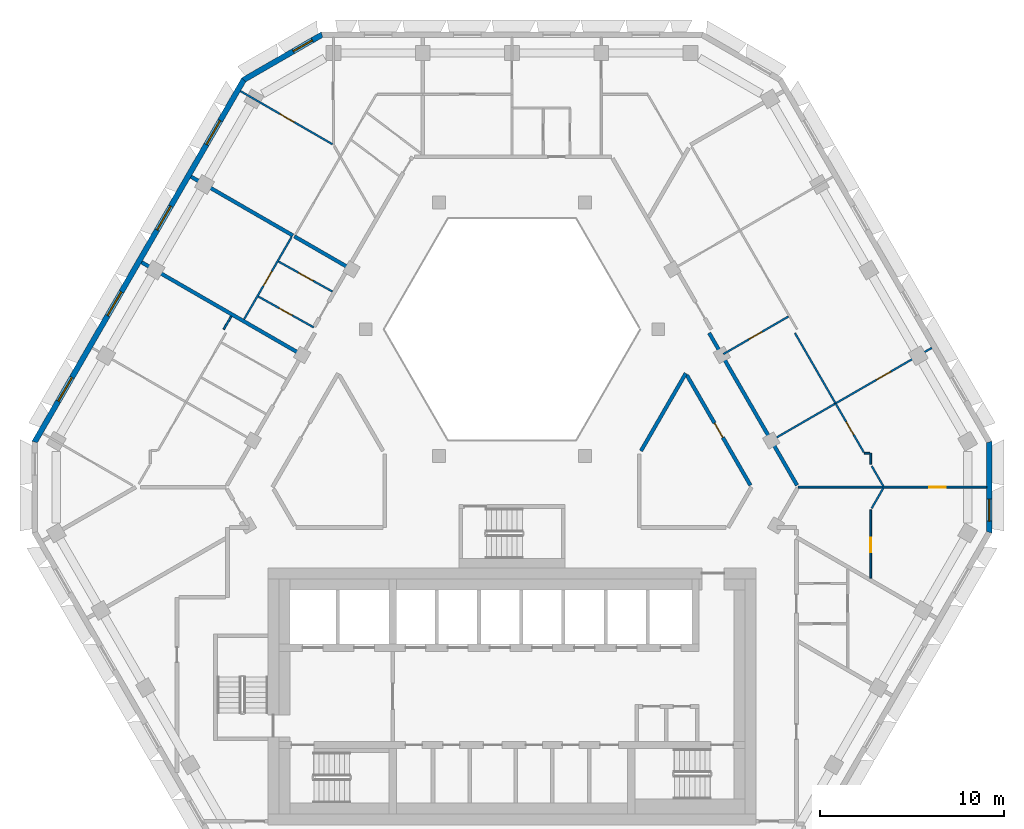
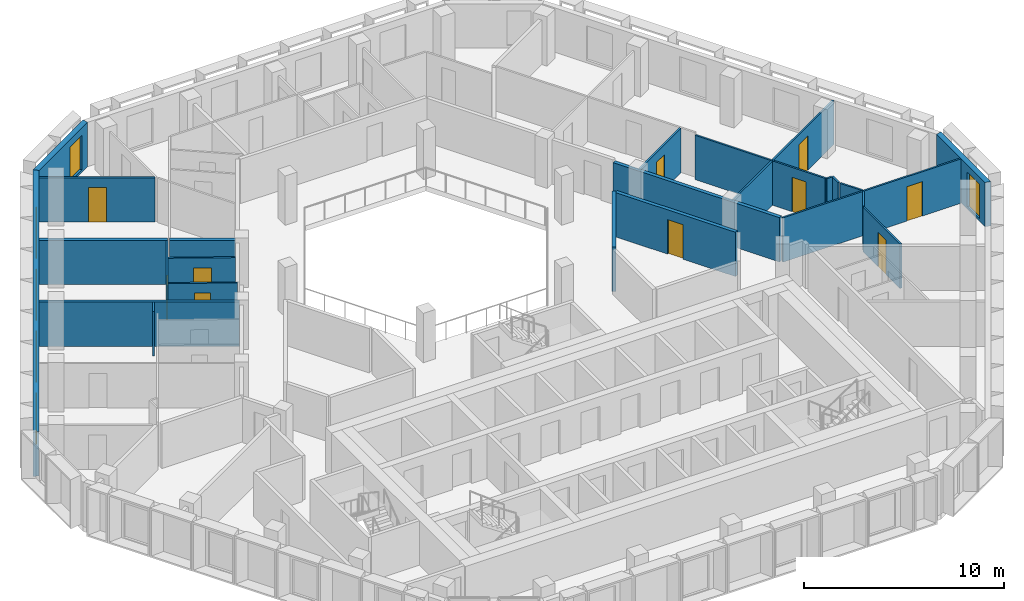
# One storey, part 6 of 15: 24 walls, 10 doors, 6 windows, 16 openings.
"""IFC4 building model written with IfcOpenShell, lengths in metres."""

from ifc_helpers import new_model, si_unit, direction, frame, frame_2d, origin, place, context, subcontext, project, spatial, polyline, rectangle, outline, extrude, material, layer, layer_set, type_object, element, fill, save


model = new_model("IFC4")

# Units and contexts
model_context = context("Model", 3, precision=1e-05, world=origin(), true_north=direction((0.0, 1.0)))
body_context = subcontext(model_context, "Body", "Model", "MODEL_VIEW")
ifc_project = project(units=[si_unit("LENGTHUNIT", "METRE"), si_unit("AREAUNIT", "SQUARE_METRE"), si_unit("VOLUMEUNIT", "CUBIC_METRE"), si_unit("PLANEANGLEUNIT", "RADIAN"), si_unit("MASSUNIT", "GRAM", prefix="KILO")], contexts=[model_context])

# Site, building, storey
site_placement = place(None, origin())
site = spatial("IfcSite", under=ifc_project, at=site_placement, CompositionType="ELEMENT")
building_placement = place(site_placement, origin())
building = spatial("IfcBuilding", under=site, at=building_placement, Name="Beryl Residences", CompositionType="ELEMENT")
storey_placement = place(building_placement, frame((0.0, 0.0, 169.199951171875)))
storey = spatial("IfcBuildingStorey", under=building, at=storey_placement, Name="L51", CompositionType="ELEMENT", Elevation=169.199951171875)

# Wall, opening, window
ifc_material_1 = material(Name="Composite metal panel with mineral wool insulation")
ifc_layer_1 = layer(ifc_material_1, 0.300048828125)
ifc_layer_set_1 = layer_set([ifc_layer_1], Name="ES1 pale metal composite panel wall 300 mm")
wall_type_1 = type_object("IfcWallType", Name="ES1 pale metal composite panel wall 300 mm", PredefinedType="SOLIDWALL", material=ifc_layer_set_1)
wall_1_placement = place(storey_placement, frame((-10.31689453125, 24.070068359375, 0.0), z_axis=(0.0, 0.0, 1.0), x_axis=(-0.866022959057, -0.500004234368, 0.0)))
wall_1 = element("IfcWall", 1, at=wall_1_placement, inside=storey, type_object=wall_type_1, Name="ES1 external wall L51 N-NW", PredefinedType="SOLIDWALL", context=body_context, shape_type="SweptSolid", body=[
    extrude(outline(polyline([(0.0, -0.14990234375), (5.0, -0.14990234375), (4.919677734375, 0.14990234375), (0.080322265625, 0.14990234375), (0.0, -0.14990234375)])), origin(), (0.0, 0.0, 1.0), 2.699951171875),
])
opening_1_placement = place(wall_1_placement, frame((0.64990234375, 0.0, 0.14990234375)))
opening_1 = element("IfcOpeningElement", 2, at=opening_1_placement, cuts=wall_1, Name="Opening W2", PredefinedType="OPENING", context=body_context, shape_type="SweptSolid", body=[
    extrude(rectangle(XDim=1.199951171875, YDim=2.10009765625, at=frame_2d((0.60009765625, 1.050048828125))), frame((0.0, 0.159912109375, 0.0), z_axis=(0.0, -1.0, 0.0), x_axis=(1.0, 0.0, 0.0)), (0.0, 0.0, 1.0), 0.320068359375),
])
ifc_material_2 = material(Name="Aluminium and clear glass", Category="aluminium")
window_type_1 = type_object("IfcWindowType", Name="W2 chamfer window 1200 x 2100 mm", PartitioningType="SINGLE_PANEL", PredefinedType="WINDOW", material=ifc_material_2)
window_1_placement = place(opening_1_placement, origin())
window_1 = element("IfcWindow", 3, at=window_1_placement, inside=storey, type_object=window_type_1, Name="W2 window L51 N-NW 1", OverallHeight=2.10009765625, OverallWidth=1.199951171875, PartitioningType="SINGLE_PANEL", PredefinedType="WINDOW", context=body_context, shape_type="SweptSolid", body=[
    extrude(rectangle(XDim=1.199951171875, YDim=2.10009765625, at=frame_2d((0.60009765625, 1.050048828125))), frame((0.0, 0.030029296875, 0.0), z_axis=(0.0, -1.0, 0.0), x_axis=(1.0, 0.0, 0.0)), (0.0, 0.0, 1.0), 0.06005859375),
])
fill(opening_1, window_1)

# Wall, openings, windows
wall_2_placement = place(storey_placement, frame((-14.592041015625, 21.625, 0.0), z_axis=(0.0, 0.0, 1.0), x_axis=(-0.500010537973, -0.866019319597, 0.0)))
wall_2 = element("IfcWall", 4, at=wall_2_placement, inside=storey, type_object=wall_type_1, Name="ES1 external wall L51 NW", PredefinedType="SOLIDWALL", context=body_context, shape_type="SweptSolid", body=[
    extrude(outline(polyline([(0.0, -0.14990234375), (22.86328125, -0.14990234375), (22.782958984375, 0.14990234375), (0.080322265625, 0.14990234375), (0.0, -0.14990234375)])), origin(), (0.0, 0.0, 1.0), 2.699951171875),
])
opening_2_placement = place(wall_2_placement, frame((2.60595703125, 0.0, 0.14990234375)))
opening_2 = element("IfcOpeningElement", 5, at=opening_2_placement, cuts=wall_2, Name="Opening W1", PredefinedType="OPENING", context=body_context, shape_type="SweptSolid", body=[
    extrude(rectangle(XDim=1.5, YDim=2.10009765625, at=frame_2d((0.75, 1.050048828125))), frame((0.0, 0.159912109375, 0.0), z_axis=(0.0, -1.0, 0.0), x_axis=(1.0, 0.0, 0.0)), (0.0, 0.0, 1.0), 0.320068359375),
])
opening_3_placement = place(wall_2_placement, frame((7.989990234375, 0.0, 0.14990234375)))
opening_3 = element("IfcOpeningElement", 6, at=opening_3_placement, cuts=wall_2, Name="Opening W1", PredefinedType="OPENING", context=body_context, shape_type="SweptSolid", body=[
    extrude(rectangle(XDim=1.5, YDim=2.10009765625, at=frame_2d((0.75, 1.050048828125))), frame((0.0, 0.159912109375, 0.0), z_axis=(0.0, -1.0, 0.0), x_axis=(1.0, 0.0, 0.0)), (0.0, 0.0, 1.0), 0.320068359375),
])
opening_4_placement = place(wall_2_placement, frame((13.373046875, 0.0, 0.14990234375)))
opening_4 = element("IfcOpeningElement", 7, at=opening_4_placement, cuts=wall_2, Name="Opening W1", PredefinedType="OPENING", context=body_context, shape_type="SweptSolid", body=[
    extrude(rectangle(XDim=1.5, YDim=2.10009765625, at=frame_2d((0.75, 1.050048828125))), frame((0.0, 0.159912109375, 0.0), z_axis=(0.0, -1.0, 0.0), x_axis=(1.0, 0.0, 0.0)), (0.0, 0.0, 1.0), 0.320068359375),
])
opening_5_placement = place(wall_2_placement, frame((18.758056640625, 0.0, 0.14990234375)))
opening_5 = element("IfcOpeningElement", 8, at=opening_5_placement, cuts=wall_2, Name="Opening W1", PredefinedType="OPENING", context=body_context, shape_type="SweptSolid", body=[
    extrude(rectangle(XDim=1.5, YDim=2.10009765625, at=frame_2d((0.75, 1.050048828125))), frame((0.0, 0.159912109375, 0.0), z_axis=(0.0, -1.0, 0.0), x_axis=(1.0, 0.0, 0.0)), (0.0, 0.0, 1.0), 0.320068359375),
])
ifc_material_3 = material(Name="Aluminium and clear glass", Category="aluminium")
window_type_2 = type_object("IfcWindowType", Name="W1 cell window 1500 x 2100 mm", PartitioningType="SINGLE_PANEL", PredefinedType="WINDOW", material=ifc_material_3)
window_2_placement = place(opening_2_placement, origin())
window_2 = element("IfcWindow", 9, at=window_2_placement, inside=storey, type_object=window_type_2, Name="W1 window L51 NW 2", OverallHeight=2.10009765625, OverallWidth=1.5, PartitioningType="SINGLE_PANEL", PredefinedType="WINDOW", context=body_context, shape_type="SweptSolid", body=[
    extrude(rectangle(XDim=1.5, YDim=2.10009765625, at=frame_2d((0.75, 1.050048828125))), frame((0.0, 0.030029296875, 0.0), z_axis=(0.0, -1.0, 0.0), x_axis=(1.0, 0.0, 0.0)), (0.0, 0.0, 1.0), 0.06005859375),
])
fill(opening_2, window_2)
window_3_placement = place(opening_3_placement, origin())
window_3 = element("IfcWindow", 10, at=window_3_placement, inside=storey, type_object=window_type_2, Name="W1 window L51 NW 4", OverallHeight=2.10009765625, OverallWidth=1.5, PartitioningType="SINGLE_PANEL", PredefinedType="WINDOW", context=body_context, shape_type="SweptSolid", body=[
    extrude(rectangle(XDim=1.5, YDim=2.10009765625, at=frame_2d((0.75, 1.050048828125))), frame((0.0, 0.030029296875, 0.0), z_axis=(0.0, -1.0, 0.0), x_axis=(1.0, 0.0, 0.0)), (0.0, 0.0, 1.0), 0.06005859375),
])
fill(opening_3, window_3)
window_4_placement = place(opening_4_placement, origin())
window_4 = element("IfcWindow", 11, at=window_4_placement, inside=storey, type_object=window_type_2, Name="W1 window L51 NW 6", OverallHeight=2.10009765625, OverallWidth=1.5, PartitioningType="SINGLE_PANEL", PredefinedType="WINDOW", context=body_context, shape_type="SweptSolid", body=[
    extrude(rectangle(XDim=1.5, YDim=2.10009765625, at=frame_2d((0.75, 1.050048828125))), frame((0.0, 0.030029296875, 0.0), z_axis=(0.0, -1.0, 0.0), x_axis=(1.0, 0.0, 0.0)), (0.0, 0.0, 1.0), 0.06005859375),
])
fill(opening_4, window_4)
window_5_placement = place(opening_5_placement, origin())
window_5 = element("IfcWindow", 12, at=window_5_placement, inside=storey, type_object=window_type_2, Name="W1 window L51 NW 8", OverallHeight=2.10009765625, OverallWidth=1.5, PartitioningType="SINGLE_PANEL", PredefinedType="WINDOW", context=body_context, shape_type="SweptSolid", body=[
    extrude(rectangle(XDim=1.5, YDim=2.10009765625, at=frame_2d((0.75, 1.050048828125))), frame((0.0, 0.030029296875, 0.0), z_axis=(0.0, -1.0, 0.0), x_axis=(1.0, 0.0, 0.0)), (0.0, 0.0, 1.0), 0.06005859375),
])
fill(opening_5, window_5)

# Wall, opening, window
wall_3_placement = place(storey_placement, frame((26.00390625, -3.10009765625, 0.0), z_axis=(0.0, 0.0, 1.0), x_axis=(0.0, 1.0, 0.0)))
wall_3 = element("IfcWall", 13, at=wall_3_placement, inside=storey, type_object=wall_type_1, Name="ES1 external wall L51 SE-NE", PredefinedType="SOLIDWALL", context=body_context, shape_type="SweptSolid", body=[
    extrude(outline(polyline([(0.0, -0.14990234375), (5.0, -0.14990234375), (4.919677734375, 0.14990234375), (0.080322265625, 0.14990234375), (0.0, -0.14990234375)])), origin(), (0.0, 0.0, 1.0), 2.699951171875),
])
opening_6_placement = place(wall_3_placement, frame((0.64990234375, 0.0, 0.14990234375)))
opening_6 = element("IfcOpeningElement", 14, at=opening_6_placement, cuts=wall_3, Name="Opening W2", PredefinedType="OPENING", context=body_context, shape_type="SweptSolid", body=[
    extrude(rectangle(XDim=1.199951171875, YDim=2.10009765625, at=frame_2d((0.60009765625, 1.050048828125))), frame((0.0, 0.159912109375, 0.0), z_axis=(0.0, -1.0, 0.0), x_axis=(1.0, 0.0, 0.0)), (0.0, 0.0, 1.0), 0.320068359375),
])
window_6_placement = place(opening_6_placement, origin())
window_6 = element("IfcWindow", 15, at=window_6_placement, inside=storey, type_object=window_type_1, Name="W2 window L51 SE-NE 1", OverallHeight=2.10009765625, OverallWidth=1.199951171875, PartitioningType="SINGLE_PANEL", PredefinedType="WINDOW", context=body_context, shape_type="SweptSolid", body=[
    extrude(rectangle(XDim=1.199951171875, YDim=2.10009765625, at=frame_2d((0.60009765625, 1.050048828125))), frame((0.0, 0.030029296875, 0.0), z_axis=(0.0, -1.0, 0.0), x_axis=(1.0, 0.0, 0.0)), (0.0, 0.0, 1.0), 0.06005859375),
])
fill(opening_6, window_6)

# Walls
ifc_material_4 = material(Name="Gypsum board partition on steel studs", Category="steel")
ifc_layer_2 = layer(ifc_material_4, 0.10009765625)
ifc_layer_set_2 = layer_set([ifc_layer_2], Name="PT1 partition 100 mm gypsum board on steel studs")
wall_type_2 = type_object("IfcWallType", Name="PT1 partition 100 mm gypsum board on steel studs", PredefinedType="PARTITIONING", material=ifc_layer_set_2)
wall_4_placement = place(storey_placement, frame((15.412109375, 7.800048828125, 0.0), z_axis=(0.0, 0.0, 1.0), x_axis=(0.499882970317, -0.866092960361, 0.0)))
element("IfcWall", 16, at=wall_4_placement, inside=storey, type_object=wall_type_2, Name="Wall PT1 L51 003", PredefinedType="PARTITIONING", context=body_context, shape_type="SweptSolid", body=[
    extrude(rectangle(XDim=4.4326171875, YDim=0.10009765625, at=frame_2d((2.21630859375, 0.0))), origin(), (0.0, 0.0, 1.0), 2.699951171875),
])
wall_5_placement = place(storey_placement, frame((19.596923828125, 0.551025390625, 0.0), z_axis=(0.0, 0.0, 1.0), x_axis=(0.499922110319, -0.866070368743, 0.0)))
element("IfcWall", 17, at=wall_5_placement, inside=storey, type_object=wall_type_2, Name="Wall PT1 L51 004", PredefinedType="PARTITIONING", context=body_context, shape_type="SweptSolid", body=[
    extrude(rectangle(XDim=1.270263671875, YDim=0.10009765625, at=frame_2d((0.63525390625, 0.0))), origin(), (0.0, 0.0, 1.0), 2.699951171875),
])

# Wall, opening, door
wall_6_placement = place(storey_placement, frame((-12.720947265625, 11.69189453125, 0.0), z_axis=(0.0, 0.0, 1.0), x_axis=(0.873557394398, -0.486721150859, 0.0)))
wall_6 = element("IfcWall", 18, at=wall_6_placement, inside=storey, type_object=wall_type_2, Name="Wall PT1 L51 008", PredefinedType="PARTITIONING", context=body_context, shape_type="SweptSolid", body=[
    extrude(rectangle(XDim=3.36328125, YDim=0.10009765625, at=frame_2d((1.681640625, 0.0))), origin(), (0.0, 0.0, 1.0), 2.699951171875),
])
opening_7_placement = place(wall_6_placement, frame((1.257080078125, 0.0, 0.0)))
opening_7 = element("IfcOpeningElement", 19, at=opening_7_placement, cuts=wall_6, Name="Opening D1640", PredefinedType="OPENING", context=body_context, shape_type="SweptSolid", body=[
    extrude(rectangle(XDim=0.89990234375, YDim=2.10009765625, at=frame_2d((0.449951171875, 1.050048828125))), frame((0.0, 0.06005859375, 0.0), z_axis=(0.0, -1.0, 0.0), x_axis=(1.0, 0.0, 0.0)), (0.0, 0.0, 1.0), 0.1201171875),
])
ifc_material_5 = material(Name="Timber door leaf", Category="wood")
door_type_1 = type_object("IfcDoorType", Name="D2 room door 900 x 2100 mm", OperationType="SINGLE_SWING_LEFT", PredefinedType="DOOR", material=ifc_material_5)
door_1_placement = place(opening_7_placement, origin())
door_1 = element("IfcDoor", 20, at=door_1_placement, inside=storey, type_object=door_type_1, Name="Door D1640 L51 001", OperationType="SINGLE_SWING_RIGHT", OverallHeight=2.10009765625, OverallWidth=0.89990234375, PredefinedType="DOOR", context=body_context, shape_type="SweptSolid", body=[
    extrude(rectangle(XDim=0.89990234375, YDim=2.10009765625, at=frame_2d((0.449951171875, 1.050048828125))), frame((0.0, 0.02490234375, 0.0), z_axis=(0.0, -1.0, 0.0), x_axis=(1.0, 0.0, 0.0)), (0.0, 0.0, 1.0), 0.050048828125),
])
fill(opening_7, door_1)

wall_7_placement = place(storey_placement, frame((-13.821044921875, 9.785888671875, 0.0), z_axis=(0.0, 0.0, 1.0), x_axis=(0.873644620966, -0.486564565353, 0.0)))
wall_7 = element("IfcWall", 21, at=wall_7_placement, inside=storey, type_object=wall_type_2, Name="Wall PT1 L51 009", PredefinedType="PARTITIONING", context=body_context, shape_type="SweptSolid", body=[
    extrude(rectangle(XDim=3.462646484375, YDim=0.10009765625, at=frame_2d((1.7314453125, 0.0))), origin(), (0.0, 0.0, 1.0), 2.699951171875),
])
opening_8_placement = place(wall_7_placement, frame((1.306884765625, 0.0, 0.0)))
opening_8 = element("IfcOpeningElement", 22, at=opening_8_placement, cuts=wall_7, Name="Opening D1639", PredefinedType="OPENING", context=body_context, shape_type="SweptSolid", body=[
    extrude(rectangle(XDim=0.800048828125, YDim=2.10009765625, at=frame_2d((0.39990234375, 1.050048828125))), frame((0.0, 0.06005859375, 0.0), z_axis=(0.0, -1.0, 0.0), x_axis=(1.0, 0.0, 0.0)), (0.0, 0.0, 1.0), 0.1201171875),
])
ifc_material_6 = material(Name="Timber door leaf", Category="wood")
door_type_2 = type_object("IfcDoorType", Name="D3 bathroom door 800 x 2100 mm", OperationType="SINGLE_SWING_LEFT", PredefinedType="DOOR", material=ifc_material_6)
door_2_placement = place(opening_8_placement, origin())
door_2 = element("IfcDoor", 23, at=door_2_placement, inside=storey, type_object=door_type_2, Name="Door D1639 L51 001", OperationType="SINGLE_SWING_LEFT", OverallHeight=2.10009765625, OverallWidth=0.800048828125, PredefinedType="DOOR", context=body_context, shape_type="SweptSolid", body=[
    extrude(rectangle(XDim=0.800048828125, YDim=2.10009765625, at=frame_2d((0.39990234375, 1.050048828125))), frame((0.0, 0.02490234375, 0.0), z_axis=(0.0, -1.0, 0.0), x_axis=(1.0, 0.0, 0.0)), (0.0, 0.0, 1.0), 0.050048828125),
])
fill(opening_8, door_2)

wall_8_placement = place(storey_placement, frame((-14.7939453125, 20.97509765625, 0.0), z_axis=(0.0, 0.0, 1.0), x_axis=(0.866019221245, -0.500010708319, 0.0)))
wall_8 = element("IfcWall", 24, at=wall_8_placement, inside=storey, type_object=wall_type_2, Name="Wall PT1 L51 014", PredefinedType="PARTITIONING", context=body_context, shape_type="SweptSolid", body=[
    extrude(rectangle(XDim=5.791748046875, YDim=0.10009765625, at=frame_2d((2.89599609375, 0.0))), origin(), (0.0, 0.0, 1.0), 2.699951171875),
])
opening_9_placement = place(wall_8_placement, frame((2.47509765625, 0.0, 0.0)))
opening_9 = element("IfcOpeningElement", 25, at=opening_9_placement, cuts=wall_8, Name="Opening D1636", PredefinedType="OPENING", context=body_context, shape_type="SweptSolid", body=[
    extrude(rectangle(XDim=0.89990234375, YDim=2.10009765625, at=frame_2d((0.449951171875, 1.050048828125))), frame((0.0, 0.06005859375, 0.0), z_axis=(0.0, -1.0, 0.0), x_axis=(1.0, 0.0, 0.0)), (0.0, 0.0, 1.0), 0.1201171875),
])
door_3_placement = place(opening_9_placement, origin())
door_3 = element("IfcDoor", 26, at=door_3_placement, inside=storey, type_object=door_type_1, Name="Door D1636 L51 001", OperationType="SINGLE_SWING_RIGHT", OverallHeight=2.10009765625, OverallWidth=0.89990234375, PredefinedType="DOOR", context=body_context, shape_type="SweptSolid", body=[
    extrude(rectangle(XDim=0.89990234375, YDim=2.10009765625, at=frame_2d((0.449951171875, 1.050048828125))), frame((0.0, 0.02490234375, 0.0), z_axis=(0.0, -1.0, 0.0), x_axis=(1.0, 0.0, 0.0)), (0.0, 0.0, 1.0), 0.050048828125),
])
fill(opening_9, door_3)

wall_9_placement = place(storey_placement, frame((15.587890625, -0.59912109375, 0.0), z_axis=(0.0, 0.0, 1.0), x_axis=(1.0, 0.0, 0.0)))
wall_9 = element("IfcWall", 27, at=wall_9_placement, inside=storey, type_object=wall_type_2, Name="Wall PT1 L51 018", PredefinedType="PARTITIONING", context=body_context, shape_type="SweptSolid", body=[
    extrude(rectangle(XDim=10.26611328125, YDim=0.10009765625, at=frame_2d((5.133056640625, 0.0))), origin(), (0.0, 0.0, 1.0), 2.699951171875),
])
opening_10_placement = place(wall_9_placement, frame((7.135009765625, 0.0, 0.0)))
opening_10 = element("IfcOpeningElement", 28, at=opening_10_placement, cuts=wall_9, Name="Opening D1621", PredefinedType="OPENING", context=body_context, shape_type="SweptSolid", body=[
    extrude(rectangle(XDim=0.89990234375, YDim=2.10009765625, at=frame_2d((0.449951171875, 1.050048828125))), frame((0.0, 0.06005859375, 0.0), z_axis=(0.0, -1.0, 0.0), x_axis=(1.0, 0.0, 0.0)), (0.0, 0.0, 1.0), 0.1201171875),
])
door_4_placement = place(opening_10_placement, origin())
door_4 = element("IfcDoor", 29, at=door_4_placement, inside=storey, type_object=door_type_1, Name="Door D1621 L51 001", OperationType="SINGLE_SWING_LEFT", OverallHeight=2.10009765625, OverallWidth=0.89990234375, PredefinedType="DOOR", context=body_context, shape_type="SweptSolid", body=[
    extrude(rectangle(XDim=0.89990234375, YDim=2.10009765625, at=frame_2d((0.449951171875, 1.050048828125))), frame((0.0, 0.02490234375, 0.0), z_axis=(0.0, -1.0, 0.0), x_axis=(1.0, 0.0, 0.0)), (0.0, 0.0, 1.0), 0.050048828125),
])
fill(opening_10, door_4)

# Walls
wall_10_placement = place(storey_placement, frame((19.195068359375, 1.2470703125, 0.0), z_axis=(0.0, 0.0, 1.0), x_axis=(1.0, 0.0, 0.0)))
element("IfcWall", 30, at=wall_10_placement, inside=storey, type_object=wall_type_2, Name="Wall PT1 L51 020", PredefinedType="PARTITIONING", context=body_context, shape_type="SweptSolid", body=[
    extrude(rectangle(XDim=0.302001953125, YDim=0.10009765625, at=frame_2d((0.15087890625, 0.0))), origin(), (0.0, 0.0, 1.0), 2.699951171875),
])
wall_11_placement = place(storey_placement, frame((19.596923828125, -1.75, 0.0), z_axis=(0.0, 0.0, 1.0), x_axis=(0.499589422776, 0.866262320923, 0.0)))
element("IfcWall", 31, at=wall_11_placement, inside=storey, type_object=wall_type_2, Name="Wall PT1 L51 025", PredefinedType="PARTITIONING", context=body_context, shape_type="SweptSolid", body=[
    extrude(rectangle(XDim=1.27099609375, YDim=0.10009765625, at=frame_2d((0.635498046875, 0.0))), origin(), (0.0, 0.0, 1.0), 2.699951171875),
])

# Wall, opening, door
wall_12_placement = place(storey_placement, frame((-14.596923828125, 8.54296875, 0.0), z_axis=(0.0, 0.0, 1.0), x_axis=(0.499962957901, 0.866046788994, 0.0)))
wall_12 = element("IfcWall", 32, at=wall_12_placement, inside=storey, type_object=wall_type_2, Name="Wall PT1 L51 027", PredefinedType="PARTITIONING", context=body_context, shape_type="SweptSolid", body=[
    extrude(rectangle(XDim=5.1845703125, YDim=0.10009765625, at=frame_2d((2.59228515625, 0.0))), origin(), (0.0, 0.0, 1.0), 2.699951171875),
])
opening_11_placement = place(wall_12_placement, frame((2.113037109375, 0.0, 0.0)))
opening_11 = element("IfcOpeningElement", 33, at=opening_11_placement, cuts=wall_12, Name="Opening D1641", PredefinedType="OPENING", context=body_context, shape_type="SweptSolid", body=[
    extrude(rectangle(XDim=0.89990234375, YDim=2.10009765625, at=frame_2d((0.449951171875, 1.050048828125))), frame((0.0, 0.06005859375, 0.0), z_axis=(0.0, -1.0, 0.0), x_axis=(1.0, 0.0, 0.0)), (0.0, 0.0, 1.0), 0.1201171875),
])
door_5_placement = place(opening_11_placement, origin())
door_5 = element("IfcDoor", 34, at=door_5_placement, inside=storey, type_object=door_type_1, Name="Door D1641 L51 001", OperationType="SINGLE_SWING_LEFT", OverallHeight=2.10009765625, OverallWidth=0.89990234375, PredefinedType="DOOR", context=body_context, shape_type="SweptSolid", body=[
    extrude(rectangle(XDim=0.89990234375, YDim=2.10009765625, at=frame_2d((0.449951171875, 1.050048828125))), frame((0.0, 0.02490234375, 0.0), z_axis=(0.0, -1.0, 0.0), x_axis=(1.0, 0.0, 0.0)), (0.0, 0.0, 1.0), 0.050048828125),
])
fill(opening_11, door_5)

# Wall
wall_13_placement = place(storey_placement, frame((-15.7041015625, 8.0, 0.0), z_axis=(0.0, 0.0, 1.0), x_axis=(0.499833531678, 0.866121492985, 0.0)))
element("IfcWall", 35, at=wall_13_placement, inside=storey, type_object=wall_type_2, Name="Wall PT1 L51 030", PredefinedType="PARTITIONING", context=body_context, shape_type="SweptSolid", body=[
    extrude(rectangle(XDim=0.824462890625, YDim=0.10009765625, at=frame_2d((0.412109375, 0.0))), origin(), (0.0, 0.0, 1.0), 2.699951171875),
])

# Wall, opening, door
wall_14_placement = place(storey_placement, frame((19.547119140625, -5.554931640625, 0.0), z_axis=(0.0, 0.0, 1.0), x_axis=(0.0, 1.0, 0.0)))
wall_14 = element("IfcWall", 36, at=wall_14_placement, inside=storey, type_object=wall_type_2, Name="Wall PT1 L51 034", PredefinedType="PARTITIONING", context=body_context, shape_type="SweptSolid", body=[
    extrude(rectangle(XDim=3.718994140625, YDim=0.10009765625, at=frame_2d((1.859375, 0.0))), origin(), (0.0, 0.0, 1.0), 2.699951171875),
])
opening_12_placement = place(wall_14_placement, frame((1.402099609375, 0.0, 0.0)))
opening_12 = element("IfcOpeningElement", 37, at=opening_12_placement, cuts=wall_14, Name="Opening D1623", PredefinedType="OPENING", context=body_context, shape_type="SweptSolid", body=[
    extrude(rectangle(XDim=0.800048828125, YDim=2.10009765625, at=frame_2d((0.39990234375, 1.050048828125))), frame((0.0, 0.06005859375, 0.0), z_axis=(0.0, -1.0, 0.0), x_axis=(1.0, 0.0, 0.0)), (0.0, 0.0, 1.0), 0.1201171875),
])
door_6_placement = place(opening_12_placement, origin())
door_6 = element("IfcDoor", 38, at=door_6_placement, inside=storey, type_object=door_type_2, Name="Door D1623 L51 001", OperationType="SINGLE_SWING_LEFT", OverallHeight=2.10009765625, OverallWidth=0.800048828125, PredefinedType="DOOR", context=body_context, shape_type="SweptSolid", body=[
    extrude(rectangle(XDim=0.800048828125, YDim=2.10009765625, at=frame_2d((0.39990234375, 1.050048828125))), frame((0.0, 0.02490234375, 0.0), z_axis=(0.0, -1.0, 0.0), x_axis=(1.0, 0.0, 0.0)), (0.0, 0.0, 1.0), 0.050048828125),
])
fill(opening_12, door_6)

# Wall
wall_15_placement = place(storey_placement, frame((19.547119140625, 0.637939453125, 0.0), z_axis=(0.0, 0.0, 1.0), x_axis=(0.0, 1.0, 0.0)))
element("IfcWall", 39, at=wall_15_placement, inside=storey, type_object=wall_type_2, Name="Wall PT1 L51 035", PredefinedType="PARTITIONING", context=body_context, shape_type="SweptSolid", body=[
    extrude(rectangle(XDim=0.609130859375, YDim=0.10009765625, at=frame_2d((0.3046875, 0.0))), origin(), (0.0, 0.0, 1.0), 2.699951171875),
])

# Wall, opening, door
wall_16_placement = place(storey_placement, frame((14.2099609375, 1.987060546875, 0.0), z_axis=(0.0, 0.0, 1.0), x_axis=(0.866022959057, 0.500004234368, 0.0)))
wall_16 = element("IfcWall", 40, at=wall_16_placement, inside=storey, type_object=wall_type_2, Name="Wall PT1 L51 040", PredefinedType="PARTITIONING", context=body_context, shape_type="SweptSolid", body=[
    extrude(rectangle(XDim=10.0, YDim=0.10009765625, at=frame_2d((5.0, 0.0))), origin(), (0.0, 0.0, 1.0), 2.699951171875),
])
opening_13_placement = place(wall_16_placement, frame((6.52294921875, 0.0, 0.0)))
opening_13 = element("IfcOpeningElement", 41, at=opening_13_placement, cuts=wall_16, Name="Opening D1619", PredefinedType="OPENING", context=body_context, shape_type="SweptSolid", body=[
    extrude(rectangle(XDim=0.89990234375, YDim=2.10009765625, at=frame_2d((0.449951171875, 1.050048828125))), frame((0.0, 0.06005859375, 0.0), z_axis=(0.0, -1.0, 0.0), x_axis=(1.0, 0.0, 0.0)), (0.0, 0.0, 1.0), 0.1201171875),
])
door_7_placement = place(opening_13_placement, origin())
door_7 = element("IfcDoor", 42, at=door_7_placement, inside=storey, type_object=door_type_1, Name="Door D1619 L51 001", OperationType="SINGLE_SWING_LEFT", OverallHeight=2.10009765625, OverallWidth=0.89990234375, PredefinedType="DOOR", context=body_context, shape_type="SweptSolid", body=[
    extrude(rectangle(XDim=0.89990234375, YDim=2.10009765625, at=frame_2d((0.449951171875, 1.050048828125))), frame((0.0, 0.02490234375, 0.0), z_axis=(0.0, -1.0, 0.0), x_axis=(1.0, 0.0, 0.0)), (0.0, 0.0, 1.0), 0.050048828125),
])
fill(opening_13, door_7)

wall_17_placement = place(storey_placement, frame((11.51806640625, 6.64990234375, 0.0), z_axis=(0.0, 0.0, 1.0), x_axis=(0.865949381454, 0.500131651427, 0.0)))
wall_17 = element("IfcWall", 43, at=wall_17_placement, inside=storey, type_object=wall_type_2, Name="Wall PT1 L51 041", PredefinedType="PARTITIONING", context=body_context, shape_type="SweptSolid", body=[
    extrude(rectangle(XDim=4.09716796875, YDim=0.10009765625, at=frame_2d((2.048583984375, 0.0))), origin(), (0.0, 0.0, 1.0), 2.699951171875),
])
opening_14_placement = place(wall_17_placement, frame((1.623046875, 0.0, 0.0)))
opening_14 = element("IfcOpeningElement", 44, at=opening_14_placement, cuts=wall_17, Name="Opening D1617", PredefinedType="OPENING", context=body_context, shape_type="SweptSolid", body=[
    extrude(rectangle(XDim=0.800048828125, YDim=2.10009765625, at=frame_2d((0.39990234375, 1.050048828125))), frame((0.0, 0.06005859375, 0.0), z_axis=(0.0, -1.0, 0.0), x_axis=(1.0, 0.0, 0.0)), (0.0, 0.0, 1.0), 0.1201171875),
])
door_8_placement = place(opening_14_placement, origin())
door_8 = element("IfcDoor", 45, at=door_8_placement, inside=storey, type_object=door_type_2, Name="Door D1617 L51 001", OperationType="SINGLE_SWING_LEFT", OverallHeight=2.10009765625, OverallWidth=0.800048828125, PredefinedType="DOOR", context=body_context, shape_type="SweptSolid", body=[
    extrude(rectangle(XDim=0.800048828125, YDim=2.10009765625, at=frame_2d((0.39990234375, 1.050048828125))), frame((0.0, 0.02490234375, 0.0), z_axis=(0.0, -1.0, 0.0), x_axis=(1.0, 0.0, 0.0)), (0.0, 0.0, 1.0), 0.050048828125),
])
fill(opening_14, door_8)

wall_18_placement = place(storey_placement, frame((17.6279296875, 3.9609375, 0.0), z_axis=(0.0, 0.0, 1.0), x_axis=(0.50003162148, -0.866007146345, 0.0)))
wall_18 = element("IfcWall", 46, at=wall_18_placement, inside=storey, type_object=wall_type_2, Name="Wall PT1 L51 044", PredefinedType="PARTITIONING", context=body_context, shape_type="SweptSolid", body=[
    extrude(rectangle(XDim=3.075927734375, YDim=0.10009765625, at=frame_2d((1.5380859375, 0.0))), origin(), (0.0, 0.0, 1.0), 2.699951171875),
])
opening_15_placement = place(wall_18_placement, frame((1.1669921875, 0.0, 0.0)))
opening_15 = element("IfcOpeningElement", 47, at=opening_15_placement, cuts=wall_18, Name="Opening D1622", PredefinedType="OPENING", context=body_context, shape_type="SweptSolid", body=[
    extrude(rectangle(XDim=0.800048828125, YDim=2.10009765625, at=frame_2d((0.39990234375, 1.050048828125))), frame((0.0, 0.06005859375, 0.0), z_axis=(0.0, -1.0, 0.0), x_axis=(1.0, 0.0, 0.0)), (0.0, 0.0, 1.0), 0.1201171875),
])
door_9_placement = place(opening_15_placement, origin())
door_9 = element("IfcDoor", 48, at=door_9_placement, inside=storey, type_object=door_type_2, Name="Door D1622 L51 001", OperationType="SINGLE_SWING_RIGHT", OverallHeight=2.10009765625, OverallWidth=0.800048828125, PredefinedType="DOOR", context=body_context, shape_type="SweptSolid", body=[
    extrude(rectangle(XDim=0.800048828125, YDim=2.10009765625, at=frame_2d((0.39990234375, 1.050048828125))), frame((0.0, 0.02490234375, 0.0), z_axis=(0.0, -1.0, 0.0), x_axis=(1.0, 0.0, 0.0)), (0.0, 0.0, 1.0), 0.050048828125),
])
fill(opening_15, door_9)

# Walls
ifc_material_7 = material(Name="Acoustic double stud gypsum board wall")
ifc_layer_3 = layer(ifc_material_7, 0.199951171875)
ifc_layer_set_3 = layer_set([ifc_layer_3], Name="PT3 party wall 200 mm acoustic double stud")
wall_type_3 = type_object("IfcWallType", Name="PT3 party wall 200 mm acoustic double stud", PredefinedType="PARTITIONING", material=ifc_layer_set_3)
wall_19_placement = place(storey_placement, frame((-20.177978515625, 11.64990234375, 0.0), z_axis=(0.0, 0.0, 1.0), x_axis=(0.866016855193, -0.500014806302, 0.0)))
element("IfcWall", 49, at=wall_19_placement, inside=storey, type_object=wall_type_3, Name="Wall PT3 L51 002", PredefinedType="PARTITIONING", context=body_context, shape_type="SweptSolid", body=[
    extrude(rectangle(XDim=9.999755859375, YDim=0.199951171875, at=frame_2d((5.0, 0.0))), origin(), (0.0, 0.0, 1.0), 2.699951171875),
])
wall_20_placement = place(storey_placement, frame((-17.486083984375, 16.31298828125, 0.0), z_axis=(0.0, 0.0, 1.0), x_axis=(0.866002210665, -0.500040169509, 0.0)))
element("IfcWall", 50, at=wall_20_placement, inside=storey, type_object=wall_type_3, Name="Wall PT3 L51 005", PredefinedType="PARTITIONING", context=body_context, shape_type="SweptSolid", body=[
    extrude(rectangle(XDim=6.40771484375, YDim=0.199951171875, at=frame_2d((3.203857421875, 0.0))), origin(), (0.0, 0.0, 1.0), 2.699951171875),
])
wall_21_placement = place(storey_placement, frame((-11.85595703125, 13.06298828125, 0.0), z_axis=(0.0, 0.0, 1.0), x_axis=(0.865966208357, -0.500102515474, 0.0)))
element("IfcWall", 51, at=wall_21_placement, inside=storey, type_object=wall_type_3, Name="Wall PT3 L51 006", PredefinedType="PARTITIONING", context=body_context, shape_type="SweptSolid", body=[
    extrude(rectangle(XDim=3.299072265625, YDim=0.199951171875, at=frame_2d((1.6494140625, 0.0))), origin(), (0.0, 0.0, 1.0), 2.699951171875),
])

# Wall, opening, door
ifc_material_8 = material(Name="Double stud gypsum board wall")
ifc_layer_4 = layer(ifc_material_8, 0.199951171875)
ifc_layer_set_4 = layer_set([ifc_layer_4], Name="PT4 corridor wall 200 mm double stud")
wall_type_4 = type_object("IfcWallType", Name="PT4 corridor wall 200 mm double stud", PredefinedType="PARTITIONING", material=ifc_layer_set_4)
wall_22_placement = place(storey_placement, frame((9.52587890625, 5.5, 0.0), z_axis=(0.0, 0.0, 1.0), x_axis=(0.500062092869, -0.865989551482, 0.0)))
wall_22 = element("IfcWall", 52, at=wall_22_placement, inside=storey, type_object=wall_type_4, Name="Wall PT4 L51 004", PredefinedType="PARTITIONING", context=body_context, shape_type="SweptSolid", body=[
    extrude(rectangle(XDim=6.92724609375, YDim=0.199951171875, at=frame_2d((3.463623046875, 0.0))), origin(), (0.0, 0.0, 1.0), 2.699951171875),
])
opening_16_placement = place(wall_22_placement, frame((3.013916015625, 0.0, 0.0)))
opening_16 = element("IfcOpeningElement", 53, at=opening_16_placement, cuts=wall_22, Name="Opening D1643", PredefinedType="OPENING", context=body_context, shape_type="SweptSolid", body=[
    extrude(rectangle(XDim=0.89990234375, YDim=2.10009765625, at=frame_2d((0.449951171875, 1.050048828125))), frame((0.0, 0.10986328125, 0.0), z_axis=(0.0, -1.0, 0.0), x_axis=(1.0, 0.0, 0.0)), (0.0, 0.0, 1.0), 0.219970703125),
])
door_10_placement = place(opening_16_placement, origin())
door_10 = element("IfcDoor", 54, at=door_10_placement, inside=storey, type_object=door_type_1, Name="Door D1643 L51 001", OperationType="SINGLE_SWING_LEFT", OverallHeight=2.10009765625, OverallWidth=0.89990234375, PredefinedType="DOOR", context=body_context, shape_type="SweptSolid", body=[
    extrude(rectangle(XDim=0.89990234375, YDim=2.10009765625, at=frame_2d((0.449951171875, 1.050048828125))), frame((0.0, 0.02490234375, 0.0), z_axis=(0.0, -1.0, 0.0), x_axis=(1.0, 0.0, 0.0)), (0.0, 0.0, 1.0), 0.050048828125),
])
fill(opening_16, door_10)

# Walls
wall_23_placement = place(storey_placement, frame((10.739013671875, 7.800048828125, 0.0), z_axis=(0.0, 0.0, 1.0), x_axis=(0.499964311759, -0.86604600742, 0.0)))
element("IfcWall", 55, at=wall_23_placement, inside=storey, type_object=wall_type_4, Name="Wall PT4 L51 005", PredefinedType="PARTITIONING", context=body_context, shape_type="SweptSolid", body=[
    extrude(rectangle(XDim=9.582763671875, YDim=0.199951171875, at=frame_2d((4.79150390625, 0.0))), origin(), (0.0, 0.0, 1.0), 2.699951171875),
])
wall_24_placement = place(storey_placement, frame((7.028076171875, 1.373046875, 0.0), z_axis=(0.0, 0.0, 1.0), x_axis=(0.500065924398, 0.86598733897, 0.0)))
element("IfcWall", 56, at=wall_24_placement, inside=storey, type_object=wall_type_4, Name="Wall PT4 L51 015", PredefinedType="PARTITIONING", context=body_context, shape_type="SweptSolid", body=[
    extrude(rectangle(XDim=4.881103515625, YDim=0.199951171875, at=frame_2d((2.4404296875, 0.0))), origin(), (0.0, 0.0, 1.0), 2.699951171875),
])

save(model, "model.ifc")
